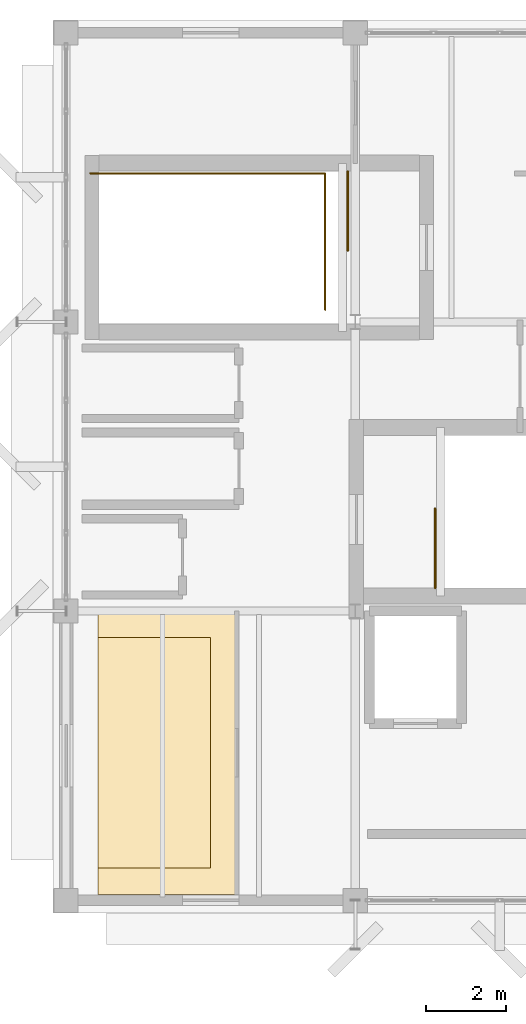
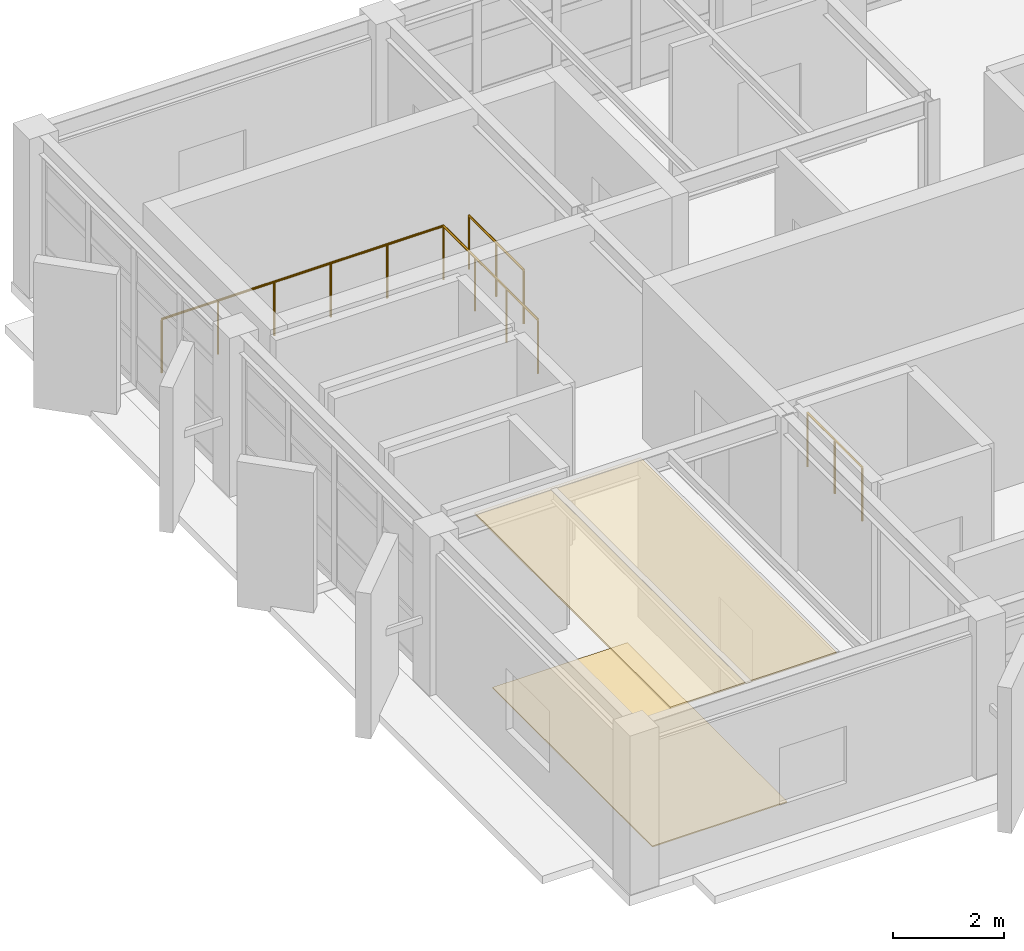
# One storey, part 13 of 13: 3 railings, 2 coverings.
"""IFC4 building model written with IfcOpenShell, lengths in metres."""

from ifc_helpers import new_model, si_unit, direction, frame, origin, origin_2d, place, context, subcontext, project, spatial, polyline, circle, outline, extrude, material, layer, layer_set, type_object, element, save


model = new_model("IFC4")

# Units and contexts
model_context = context("Model", 3, precision=1e-05, world=origin(), true_north=direction((0.0, 1.0)))
body_context = subcontext(model_context, "Body", "Model", "MODEL_VIEW")
ifc_project = project(units=[si_unit("LENGTHUNIT", "METRE"), si_unit("AREAUNIT", "SQUARE_METRE"), si_unit("VOLUMEUNIT", "CUBIC_METRE"), si_unit("PLANEANGLEUNIT", "RADIAN"), si_unit("MASSUNIT", "GRAM", prefix="KILO")], contexts=[model_context])

# Site, building, storey
site_placement = place(None, origin())
site = spatial("IfcSite", under=ifc_project, at=site_placement, CompositionType="ELEMENT")
building_placement = place(site_placement, origin())
building = spatial("IfcBuilding", under=site, at=building_placement, Name="Kandorven Conservatory and Botanical Research Centre", CompositionType="ELEMENT")
storey_placement = place(building_placement, frame((0.0, 0.0, 63.14990234375)))
storey = spatial("IfcBuildingStorey", under=building, at=storey_placement, Name="L16", CompositionType="ELEMENT", Elevation=63.14990234375)

# Coverings
ifc_material_1 = material(Name="Perforated mineral-fibre acoustic ceiling tile", Category="gypsum")
ifc_layer_1 = layer(ifc_material_1, 0.0400390625)
ifc_layer_set_1 = layer_set([ifc_layer_1], Name="Perforated mineral-fibre acoustic ceiling tile")
covering_type_1 = type_object("IfcCoveringType", Name="Cov_Ceiling_1", PredefinedType="CEILING", material=ifc_layer_set_1)
covering_1_placement = place(storey_placement, frame((0.0, 0.0, 3.43017578125)))
element("IfcCovering", 1, at=covering_1_placement, inside=storey, type_object=covering_type_1, Name="Suspended acoustic ceiling CLG-01 (Park Canopy Botanical Observatory Gallery L16)", PredefinedType="CEILING", context=body_context, shape_type="SweptSolid", body=[
    extrude(outline(polyline([(6.800048828125, 6.14990234375), (10.25, 6.14990234375), (10.25, 13.199951171875), (6.800048828125, 13.199951171875), (6.800048828125, 6.14990234375)])), origin(), (0.0, 0.0, 1.0), 0.0400390625),
])
ifc_material_2 = material(Name="Honed Kota stone and epoxy laboratory flooring", Category="masonry")
ifc_layer_2 = layer(ifc_material_2, 0.02490234375)
ifc_layer_set_2 = layer_set([ifc_layer_2], Name="Honed Kota stone and epoxy laboratory flooring")
covering_type_2 = type_object("IfcCoveringType", Name="Cov_Flooring_1", PredefinedType="FLOORING", material=ifc_layer_set_2)
covering_2_placement = place(storey_placement, origin())
element("IfcCovering", 2, at=covering_2_placement, inside=storey, type_object=covering_type_2, Name="Floor finish FLR-01 (Park Canopy Botanical Observatory Gallery L16)", PredefinedType="FLOORING", context=body_context, shape_type="SweptSolid", body=[
    extrude(outline(polyline([(6.800048828125, 6.800048828125), (9.60009765625, 6.800048828125), (9.60009765625, 12.550048828125), (6.800048828125, 12.550048828125), (6.800048828125, 6.800048828125)])), origin(), (0.0, 0.0, 1.0), 0.025146484375),
])

# Railings
ifc_material_3 = material(Name="Steel S355 (IS 2062 E350)", Category="steel")
railing_type_1 = type_object("IfcRailingType", Name="Guard_Terrace", PredefinedType="BALUSTRADE", material=ifc_material_3)
railing_1_placement = place(storey_placement, frame((12.449951171875, 20.699951171875, 0.0)))
element("IfcRailing", 3, at=railing_1_placement, inside=storey, type_object=railing_type_1, Name="Tower stair ST-T2 L16 top well guard GR-01", PredefinedType="BALUSTRADE", context=body_context, shape_type="SweptSolid", body=[
    extrude(circle(Radius=0.02392578125, at=origin_2d()), frame((0.0, 0.0, 1.17578125), z_axis=(0.0, 1.0, 0.0), x_axis=(-1.0, 0.0, 0.0)), (0.0, 0.0, 1.0), 3.400146484375),
    extrude(circle(Radius=0.02392578125, at=origin_2d()), frame((0.0, 3.400146484375, 1.17578125), z_axis=(-1.0, 0.0, 0.0), x_axis=(0.0, -1.0, 0.0)), (0.0, 0.0, 1.0), 5.849853515625),
    extrude(circle(Radius=0.02099609375, at=origin_2d()), origin(), (0.0, 0.0, 1.0), 1.15185546875),
    extrude(circle(Radius=0.02099609375, at=origin_2d()), frame((0.0, 1.13330078125, 0.0)), (0.0, 0.0, 1.0), 1.15185546875),
    extrude(circle(Radius=0.02099609375, at=origin_2d()), frame((0.0, 2.266845703125, 0.0)), (0.0, 0.0, 1.0), 1.15185546875),
    extrude(circle(Radius=0.02099609375, at=origin_2d()), frame((0.0, 3.400146484375, 0.0)), (0.0, 0.0, 1.0), 1.15185546875),
    extrude(circle(Radius=0.02099609375, at=origin_2d()), frame((-1.169921875, 3.400146484375, 0.0)), (0.0, 0.0, 1.0), 1.15185546875),
    extrude(circle(Radius=0.02099609375, at=origin_2d()), frame((-2.33984375, 3.400146484375, 0.0)), (0.0, 0.0, 1.0), 1.15185546875),
    extrude(circle(Radius=0.02099609375, at=origin_2d()), frame((-3.510009765625, 3.400146484375, 0.0)), (0.0, 0.0, 1.0), 1.15185546875),
    extrude(circle(Radius=0.02099609375, at=origin_2d()), frame((-4.679931640625, 3.400146484375, 0.0)), (0.0, 0.0, 1.0), 1.15185546875),
    extrude(circle(Radius=0.02099609375, at=origin_2d()), frame((-5.849853515625, 3.400146484375, 0.0)), (0.0, 0.0, 1.0), 1.15185546875),
])
ifc_material_4 = material(Name="Steel S355 (IS 2062 E350)", Category="steel")
railing_type_2 = type_object("IfcRailingType", Name="StairGuard_1150", PredefinedType="BALUSTRADE", material=ifc_material_4)
railing_2_placement = place(storey_placement, frame((15.18994140625, 13.780029296875, 0.0)))
element("IfcRailing", 4, at=railing_2_placement, inside=storey, type_object=railing_type_2, Name="L16 ST-T1 top well guard 1", PredefinedType="BALUSTRADE", context=body_context, shape_type="SweptSolid", body=[
    extrude(circle(Radius=0.02392578125, at=origin_2d()), frame((0.0, 0.0, 1.17578125), z_axis=(0.0, 1.0, 0.0), x_axis=(-1.0, 0.0, 0.0)), (0.0, 0.0, 1.0), 1.969970703125),
    extrude(circle(Radius=0.02099609375, at=origin_2d()), origin(), (0.0, 0.0, 1.0), 1.15185546875),
    extrude(circle(Radius=0.02099609375, at=origin_2d()), frame((0.0, 0.98486328125, 0.0)), (0.0, 0.0, 1.0), 1.15185546875),
    extrude(circle(Radius=0.02099609375, at=origin_2d()), frame((0.0, 1.969970703125, 0.0)), (0.0, 0.0, 1.0), 1.15185546875),
])
railing_3_placement = place(storey_placement, frame((13.010009765625, 24.14990234375, 0.0)))
element("IfcRailing", 5, at=railing_3_placement, inside=storey, type_object=railing_type_2, Name="L16 ST-T2 top well guard 1", PredefinedType="BALUSTRADE", context=body_context, shape_type="SweptSolid", body=[
    extrude(circle(Radius=0.02392578125, at=origin_2d()), frame((0.0, 0.0, 1.17578125), z_axis=(0.0, -1.0, 0.0), x_axis=(1.0, 0.0, 0.0)), (0.0, 0.0, 1.0), 1.969970703125),
    extrude(circle(Radius=0.02099609375, at=origin_2d()), origin(), (0.0, 0.0, 1.0), 1.15185546875),
    extrude(circle(Radius=0.02099609375, at=origin_2d()), frame((0.0, -0.98486328125, 0.0)), (0.0, 0.0, 1.0), 1.15185546875),
    extrude(circle(Radius=0.02099609375, at=origin_2d()), frame((0.0, -1.969970703125, 0.0)), (0.0, 0.0, 1.0), 1.15185546875),
])

save(model, "model.ifc")
